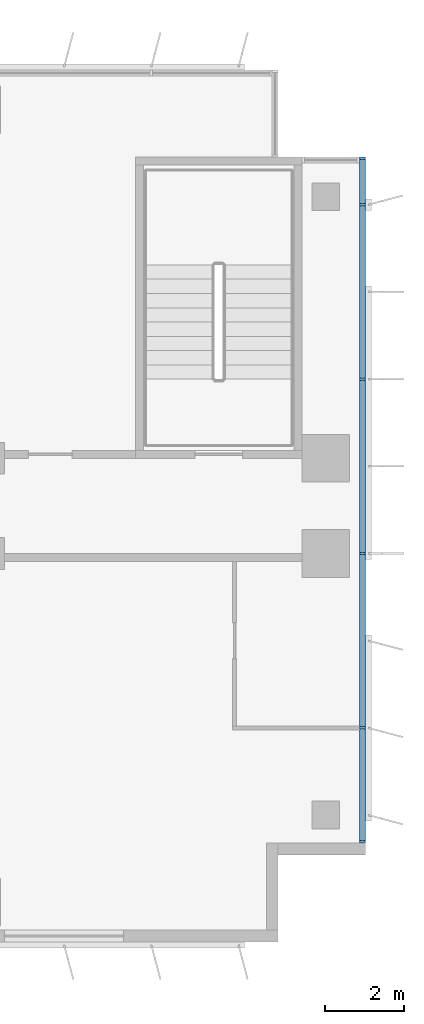
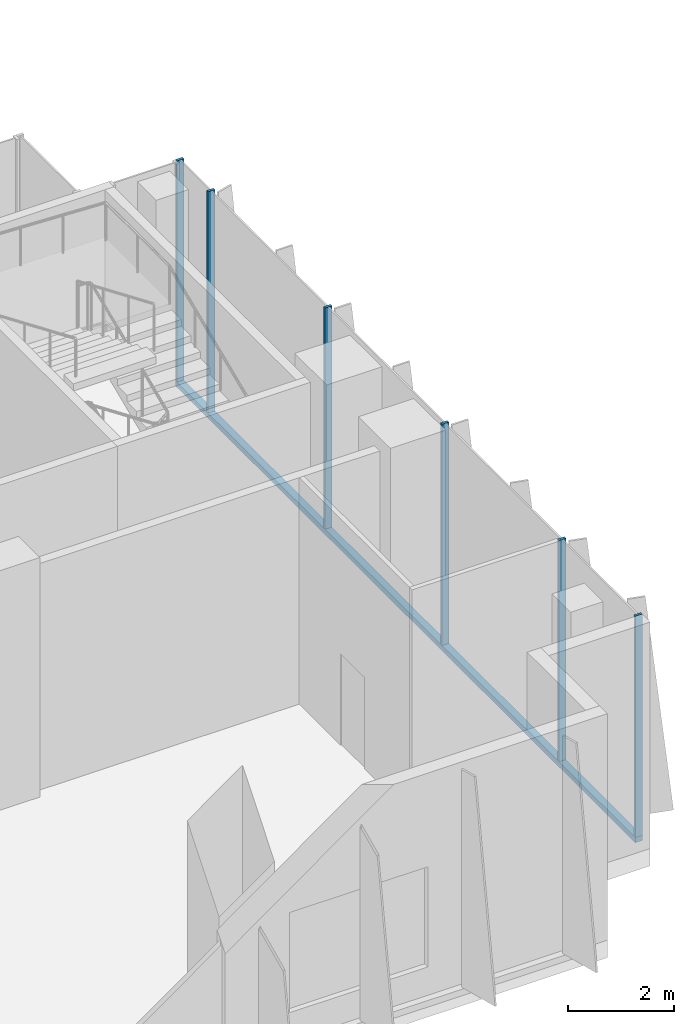
# One storey, part 8 of 26: 7 members, 1 element without a shape of its own.
"""IFC4 building model written with IfcOpenShell, lengths in metres."""

from ifc_helpers import new_model, si_unit, direction, frame, origin, origin_2d, place, context, subcontext, project, spatial, rectangle, extrude, source, transform, mapped, material, material_profile, profile_set, type_object, element, aggregate, save


model = new_model("IFC4")

# Units and contexts
model_context = context("Model", 3, precision=1e-05, world=origin(), true_north=direction((0.0, 1.0)))
body_context = subcontext(model_context, "Body", "Model", "MODEL_VIEW")
ifc_project = project(units=[si_unit("LENGTHUNIT", "METRE"), si_unit("AREAUNIT", "SQUARE_METRE"), si_unit("VOLUMEUNIT", "CUBIC_METRE"), si_unit("PLANEANGLEUNIT", "RADIAN"), si_unit("MASSUNIT", "GRAM", prefix="KILO")], contexts=[model_context])

# Site, building, storey
site_placement = place(None, origin())
site = spatial("IfcSite", under=ifc_project, at=site_placement, CompositionType="ELEMENT")
building_placement = place(site_placement, origin())
building = spatial("IfcBuilding", under=site, at=building_placement, Name="Kemantara Hotel Tower", CompositionType="ELEMENT")
storey_placement = place(building_placement, frame((0.0, 0.0, 101.89990234375)))
storey = spatial("IfcBuildingStorey", under=building, at=storey_placement, Name="L24", CompositionType="ELEMENT", Elevation=101.89990234375)

# Curtain wall, members
ifc_material_1 = material(Name="Low-E tinted double insulated glass 36 mm", Category="glass")
curtain_wall_type = type_object("IfcCurtainWallType", Name="TOWER CURTAIN WALL, FRONT FACES", PredefinedType="USERDEFINED", material=ifc_material_1)
curtain_wall_placement = place(storey_placement, origin())
curtain_wall = element("IfcCurtainWall", 1, at=curtain_wall_placement, inside=storey, type_object=curtain_wall_type, Name="CW4 L24 T2-R10-1", ObjectType="TOWER CURTAIN WALL, FRONT FACES", PredefinedType="USERDEFINED")
ifc_material_2 = material(Name="Aluminium 6063-T6 bronze anodised", Category="aluminium")
ifc_material_profile_1 = material_profile(ifc_material_2, rectangle(XDim=0.14990234375, YDim=0.1201171875, at=origin_2d()), Name="TOWER CURTAIN WALL, FRONT FACES TRANSOM")
ifc_profile_set_1 = profile_set([ifc_material_profile_1], Name="Aluminium 6063-T6 bronze anodised")
member_type_1 = type_object("IfcMemberType", Name="TOWER CURTAIN WALL, FRONT FACES TRANSOM", PredefinedType="USERDEFINED", material=ifc_profile_set_1)
member_1_placement = place(storey_placement, frame((63.52490234375, 2.5, 0.06005859375), z_axis=(0.0, 1.0, 0.0), x_axis=(-1.0, 0.0, 0.0)))
member_1 = element("IfcMember", 2, at=member_1_placement, type_object=member_type_1, Name="CW4 sill transom T2-R10-1", ObjectType="TRANSOM", PredefinedType="USERDEFINED", context=body_context, shape_type="SweptSolid", body=[
    extrude(rectangle(XDim=0.14990234375, YDim=0.1201171875, at=origin_2d()), origin(), (0.0, 0.0, 1.0), 17.300048828125),
])
ifc_material_profile_2 = material_profile(ifc_material_2, rectangle(XDim=0.14990234375, YDim=0.06005859375, at=origin_2d()), Name="TOWER CURTAIN WALL, FRONT FACES MULLION")
ifc_profile_set_2 = profile_set([ifc_material_profile_2], Name="Aluminium 6063-T6 bronze anodised")
member_type_2 = type_object("IfcMemberType", Name="TOWER CURTAIN WALL, FRONT FACES MULLION", PredefinedType="MULLION", material=ifc_profile_set_2)
shared_shape = source(origin(), body_context, "Body", "SweptSolid", [
    extrude(rectangle(XDim=0.14990234375, YDim=0.06005859375, at=origin_2d()), origin(), (0.0, 0.0, 1.0), 5.080078125),
])
member_2_placement = place(storey_placement, frame((63.52490234375, 2.530029296875, 0.1201171875), z_axis=(0.0, 0.0, 1.0), x_axis=(-1.0, 0.0, 0.0)))
member_2 = element("IfcMember", 3, at=member_2_placement, type_object=member_type_2, Name="CW4 mullion T2-R10-1.1", PredefinedType="MULLION", context=body_context, shape_type="MappedRepresentation", body=[
    mapped(shared_shape, transform((0.0, 0.0, 0.0))),
])
member_3_placement = place(storey_placement, frame((63.52490234375, 5.39990234375, 0.1201171875), z_axis=(0.0, 0.0, 1.0), x_axis=(-1.0, 0.0, 0.0)))
member_3 = element("IfcMember", 4, at=member_3_placement, type_object=member_type_2, Name="CW4 mullion T2-R10-1.2", PredefinedType="MULLION", context=body_context, shape_type="MappedRepresentation", body=[
    mapped(shared_shape, transform((0.0, 0.0, 0.0))),
])
member_4_placement = place(storey_placement, frame((63.52490234375, 9.800048828125, 0.1201171875), z_axis=(0.0, 0.0, 1.0), x_axis=(-1.0, 0.0, 0.0)))
member_4 = element("IfcMember", 5, at=member_4_placement, type_object=member_type_2, Name="CW4 mullion T2-R10-1.3", PredefinedType="MULLION", context=body_context, shape_type="MappedRepresentation", body=[
    mapped(shared_shape, transform((0.0, 0.0, 0.0))),
])
member_5_placement = place(storey_placement, frame((63.52490234375, 14.199951171875, 0.1201171875), z_axis=(0.0, 0.0, 1.0), x_axis=(-1.0, 0.0, 0.0)))
member_5 = element("IfcMember", 6, at=member_5_placement, type_object=member_type_2, Name="CW4 mullion T2-R10-1.4", PredefinedType="MULLION", context=body_context, shape_type="MappedRepresentation", body=[
    mapped(shared_shape, transform((0.0, 0.0, 0.0))),
])
member_6_placement = place(storey_placement, frame((63.52490234375, 18.60009765625, 0.1201171875), z_axis=(0.0, 0.0, 1.0), x_axis=(-1.0, 0.0, 0.0)))
member_6 = element("IfcMember", 7, at=member_6_placement, type_object=member_type_2, Name="CW4 mullion T2-R10-1.5", PredefinedType="MULLION", context=body_context, shape_type="MappedRepresentation", body=[
    mapped(shared_shape, transform((0.0, 0.0, 0.0))),
])
member_7_placement = place(storey_placement, frame((63.52490234375, 19.77001953125, 0.1201171875), z_axis=(0.0, 0.0, 1.0), x_axis=(-1.0, 0.0, 0.0)))
member_7 = element("IfcMember", 8, at=member_7_placement, type_object=member_type_2, Name="CW4 mullion T2-R10-1.6", PredefinedType="MULLION", context=body_context, shape_type="MappedRepresentation", body=[
    mapped(shared_shape, transform((0.0, 0.0, 0.0))),
])
aggregate(curtain_wall, [member_1, member_2, member_3, member_4, member_5, member_6, member_7])

save(model, "model.ifc")
